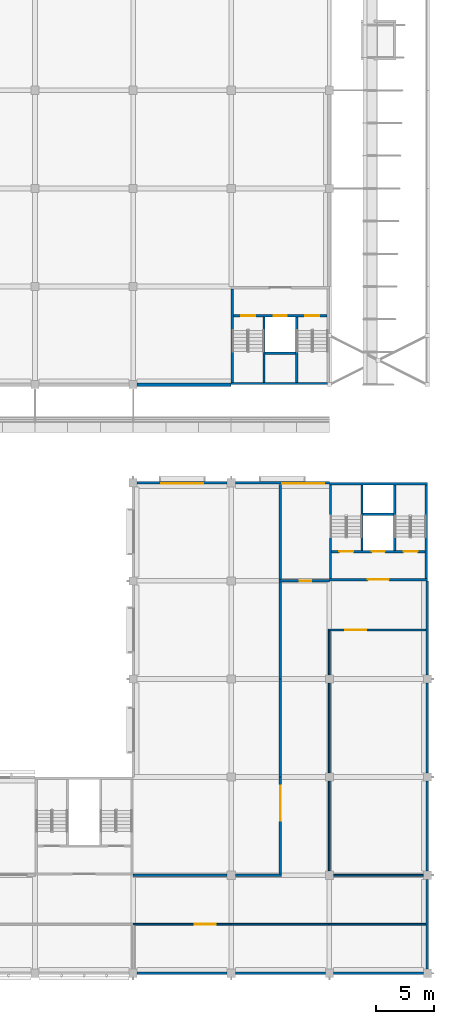
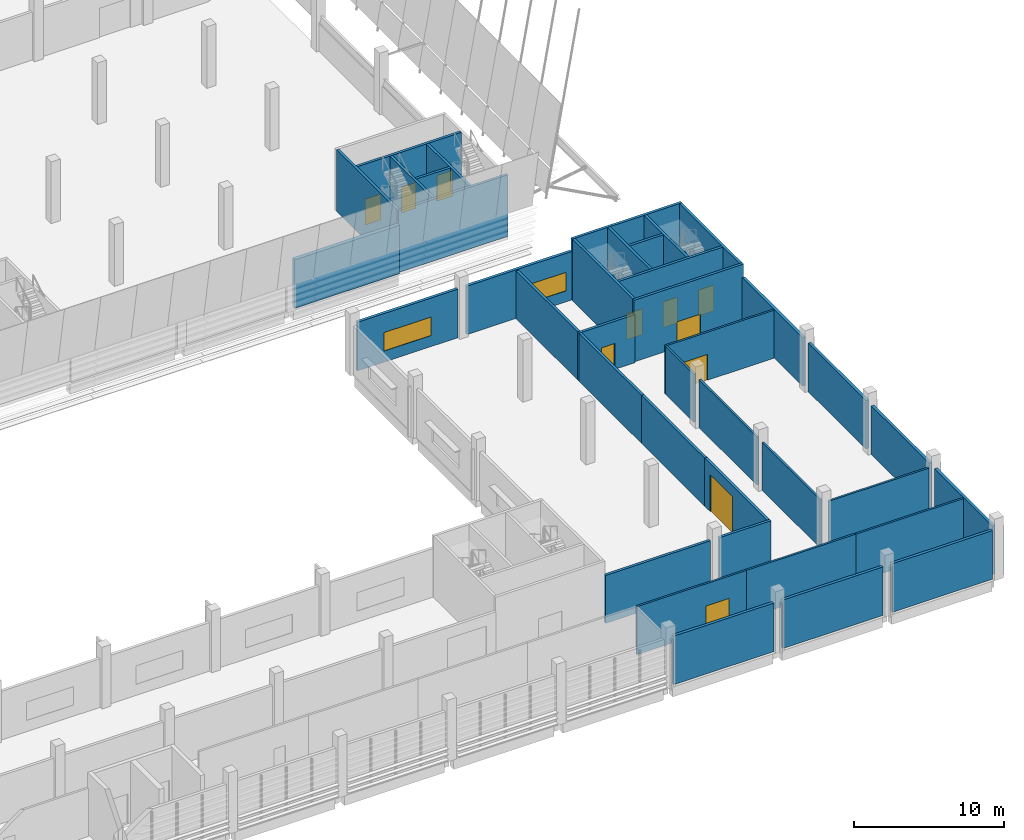
# One storey, part 27 of 82: 39 walls, 11 doors, 2 windows, 13 openings.
"""IFC4 building model written with IfcOpenShell, lengths in metres."""

from ifc_helpers import new_model, si_unit, direction, frame, frame_2d, origin, place, context, subcontext, project, spatial, rectangle, extrude, material, layer, layer_set, type_object, element, fill, save


model = new_model("IFC4")

# Units and contexts
model_context = context("Model", 3, precision=1e-05, world=origin(), true_north=direction((0.0, 1.0)))
body_context = subcontext(model_context, "Body", "Model", "MODEL_VIEW")
ifc_project = project(units=[si_unit("LENGTHUNIT", "METRE"), si_unit("AREAUNIT", "SQUARE_METRE"), si_unit("VOLUMEUNIT", "CUBIC_METRE"), si_unit("PLANEANGLEUNIT", "RADIAN"), si_unit("MASSUNIT", "GRAM", prefix="KILO")], contexts=[model_context])

# Site, building, storey
site_placement = place(None, origin())
site = spatial("IfcSite", under=ifc_project, at=site_placement, CompositionType="ELEMENT")
building_placement = place(site_placement, origin())
building = spatial("IfcBuilding", under=site, at=building_placement, Name="Almond Square Museum", CompositionType="ELEMENT")
storey_placement = place(building_placement, frame((0.0, 0.0, 20.0)))
storey = spatial("IfcBuildingStorey", under=building, at=storey_placement, Name="L03", CompositionType="ELEMENT", Elevation=20.0)

# Walls
ifc_material_1 = material(Name="Concrete C30/37", Category="concrete")
ifc_layer_1 = layer(ifc_material_1, 0.300048828125)
ifc_layer_set_1 = layer_set([ifc_layer_1], Name="Concrete C30/37")
wall_type_1 = type_object("IfcWallType", Name="Cast concrete wall 300 C30/37 behind louvre skin", PredefinedType="SOLIDWALL", material=ifc_layer_set_1)
wall_1_placement = place(storey_placement, frame((132.35009765625, 50.39990234375, 0.0), z_axis=(0.0, 0.0, 1.0), x_axis=(1.0, 0.0, 0.0)))
element("IfcWall", 1, at=wall_1_placement, inside=storey, type_object=wall_type_1, Name="External wall W1 V1 L03 S03", PredefinedType="SOLIDWALL", context=body_context, shape_type="SweptSolid", body=[
    extrude(rectangle(XDim=8.0498046875, YDim=0.300048828125, at=frame_2d((4.02490234375, 0.0))), origin(), (0.0, 0.0, 1.0), 3.93994140625),
])
ifc_material_2 = material(Name="Concrete blockwork 200", Category="masonry")
ifc_layer_2 = layer(ifc_material_2, 0.199951171875)
ifc_layer_set_2 = layer_set([ifc_layer_2], Name="Concrete blockwork 200")
wall_type_2 = type_object("IfcWallType", Name="Fire partition 200 blockwork", PredefinedType="PARTITIONING", material=ifc_layer_set_2)
wall_2_placement = place(storey_placement, frame((144.60009765625, 33.699951171875, 0.0), z_axis=(0.0, 0.0, 1.0), x_axis=(0.0, 1.0, 0.0)))
element("IfcWall", 2, at=wall_2_placement, inside=storey, type_object=wall_type_2, Name="L03 partition 44", PredefinedType="PARTITIONING", context=body_context, shape_type="SweptSolid", body=[
    extrude(rectangle(XDim=8.150146484375, YDim=0.199951171875, at=frame_2d((4.0751953125, 0.0))), origin(), (0.0, 0.0, 1.0), 3.89990234375),
])

# Wall, opening, door
wall_3_placement = place(storey_placement, frame((144.5, 33.60009765625, 0.0), z_axis=(0.0, 0.0, 1.0), x_axis=(1.0, 0.0, 0.0)))
wall_3 = element("IfcWall", 3, at=wall_3_placement, inside=storey, type_object=wall_type_2, Name="L03 partition 45", PredefinedType="PARTITIONING", context=body_context, shape_type="SweptSolid", body=[
    extrude(rectangle(XDim=4.300048828125, YDim=0.199951171875, at=frame_2d((2.14990234375, 0.0))), origin(), (0.0, 0.0, 1.0), 3.89990234375),
])
opening_1_placement = place(wall_3_placement, frame((1.75, 0.0, 0.0)))
opening_1 = element("IfcOpeningElement", 4, at=opening_1_placement, cuts=wall_3, Name="Opening D3113", PredefinedType="OPENING", context=body_context, shape_type="SweptSolid", body=[
    extrude(rectangle(XDim=1.0, YDim=2.10009765625, at=frame_2d((0.5, 1.050048828125))), frame((0.0, 0.10986328125, 0.0), z_axis=(0.0, -1.0, 0.0), x_axis=(1.0, 0.0, 0.0)), (0.0, 0.0, 1.0), 0.219970703125),
])
ifc_material_3 = material(Name="Steel", Category="steel")
door_type_1 = type_object("IfcDoorType", Name="Fire door 1000 x 2100 FD60 single", OperationType="NOTDEFINED", PredefinedType="DOOR", material=ifc_material_3)
door_1_placement = place(opening_1_placement, origin())
door_1 = element("IfcDoor", 5, at=door_1_placement, inside=storey, type_object=door_type_1, Name="L03 door Cleaners' Store 2 to Service Corridor 1", OperationType="SINGLE_SWING_RIGHT", OverallHeight=2.10009765625, OverallWidth=1.0, PredefinedType="DOOR", context=body_context, shape_type="SweptSolid", body=[
    extrude(rectangle(XDim=1.0, YDim=2.10009765625, at=frame_2d((0.5, 1.050048828125))), frame((0.0, 0.02490234375, 0.0), z_axis=(0.0, -1.0, 0.0), x_axis=(1.0, 0.0, 0.0)), (0.0, 0.0, 1.0), 0.050048828125),
])
fill(opening_1, door_1)

wall_4_placement = place(storey_placement, frame((144.60009765625, 8.5, 0.0), z_axis=(0.0, 0.0, 1.0), x_axis=(0.0, 1.0, 0.0)))
wall_4 = element("IfcWall", 6, at=wall_4_placement, inside=storey, type_object=wall_type_2, Name="L03 partition 47", PredefinedType="PARTITIONING", context=body_context, shape_type="SweptSolid", body=[
    extrude(rectangle(XDim=8.300048828125, YDim=0.199951171875, at=frame_2d((4.14990234375, 0.0))), origin(), (0.0, 0.0, 1.0), 3.89990234375),
])
opening_2_placement = place(wall_4_placement, frame((4.574951171875, 0.0, 0.0)))
opening_2 = element("IfcOpeningElement", 7, at=opening_2_placement, cuts=wall_4, Name="Opening D3115", PredefinedType="OPENING", context=body_context, shape_type="SweptSolid", body=[
    extrude(rectangle(XDim=3.0, YDim=3.0, at=frame_2d((1.5, 1.5))), frame((0.0, 0.10986328125, 0.0), z_axis=(0.0, -1.0, 0.0), x_axis=(1.0, 0.0, 0.0)), (0.0, 0.0, 1.0), 0.219970703125),
])
ifc_material_4 = material(Name="Steel", Category="steel")
door_type_2 = type_object("IfcDoorType", Name="Dock door 3000 x 3000 steel double", OperationType="NOTDEFINED", PredefinedType="DOOR", material=ifc_material_4)
door_2_placement = place(opening_2_placement, origin())
door_2 = element("IfcDoor", 8, at=door_2_placement, inside=storey, type_object=door_type_2, Name="L03 door Collection Store 1 to Service Corridor 1", OperationType="DOUBLE_DOOR_SINGLE_SWING", OverallHeight=3.0, OverallWidth=3.0, PredefinedType="DOOR", context=body_context, shape_type="SweptSolid", body=[
    extrude(rectangle(XDim=3.0, YDim=3.0, at=frame_2d((1.5, 1.5))), frame((0.0, 0.02490234375, 0.0), z_axis=(0.0, -1.0, 0.0), x_axis=(1.0, 0.0, 0.0)), (0.0, 0.0, 1.0), 0.050048828125),
])
fill(opening_2, door_2)

# Walls
wall_5_placement = place(storey_placement, frame((144.60009765625, 16.800048828125, 0.0), z_axis=(0.0, 0.0, 1.0), x_axis=(0.0, 1.0, 0.0)))
element("IfcWall", 9, at=wall_5_placement, inside=storey, type_object=wall_type_2, Name="L03 partition 48", PredefinedType="PARTITIONING", context=body_context, shape_type="SweptSolid", body=[
    extrude(rectangle(XDim=8.39990234375, YDim=0.199951171875, at=frame_2d((4.199951171875, 0.0))), origin(), (0.0, 0.0, 1.0), 3.89990234375),
])
wall_6_placement = place(storey_placement, frame((144.60009765625, 25.199951171875, 0.0), z_axis=(0.0, 0.0, 1.0), x_axis=(0.0, 1.0, 0.0)))
element("IfcWall", 10, at=wall_6_placement, inside=storey, type_object=wall_type_2, Name="L03 partition 49", PredefinedType="PARTITIONING", context=body_context, shape_type="SweptSolid", body=[
    extrude(rectangle(XDim=8.300048828125, YDim=0.199951171875, at=frame_2d((4.14990234375, 0.0))), origin(), (0.0, 0.0, 1.0), 3.89990234375),
])
wall_7_placement = place(storey_placement, frame((132.0, 8.39990234375, 0.0), z_axis=(0.0, 0.0, 1.0), x_axis=(1.0, 0.0, 0.0)))
element("IfcWall", 11, at=wall_7_placement, inside=storey, type_object=wall_type_2, Name="L03 partition 50", PredefinedType="PARTITIONING", context=body_context, shape_type="SweptSolid", body=[
    extrude(rectangle(XDim=8.050048828125, YDim=0.199951171875, at=frame_2d((4.02490234375, 0.0))), origin(), (0.0, 0.0, 1.0), 3.89990234375),
])
wall_8_placement = place(storey_placement, frame((140.75, 8.39990234375, 0.0), z_axis=(0.0, 0.0, 1.0), x_axis=(1.0, 0.0, 0.0)))
element("IfcWall", 12, at=wall_8_placement, inside=storey, type_object=wall_type_2, Name="L03 partition 51", PredefinedType="PARTITIONING", context=body_context, shape_type="SweptSolid", body=[
    extrude(rectangle(XDim=3.949951171875, YDim=0.199951171875, at=frame_2d((1.97509765625, 0.0))), origin(), (0.0, 0.0, 1.0), 3.89990234375),
])

# Wall, opening, door
ifc_material_5 = material(Name="Plasterboard on steel stud", Category="steel")
ifc_layer_3 = layer(ifc_material_5, 0.14990234375)
ifc_layer_set_3 = layer_set([ifc_layer_3], Name="Plasterboard on steel stud")
wall_type_3 = type_object("IfcWallType", Name="Partition 150 plasterboard on steel stud", PredefinedType="PARTITIONING", material=ifc_layer_set_3)
wall_9_placement = place(storey_placement, frame((148.72509765625, 29.39990234375, 0.0), z_axis=(0.0, 0.0, 1.0), x_axis=(1.0, 0.0, 0.0)))
wall_9 = element("IfcWall", 13, at=wall_9_placement, inside=storey, type_object=wall_type_3, Name="L03 partition 54", PredefinedType="PARTITIONING", context=body_context, shape_type="SweptSolid", body=[
    extrude(rectangle(XDim=8.324951171875, YDim=0.14990234375, at=frame_2d((4.16259765625, 0.0))), origin(), (0.0, 0.0, 1.0), 3.89990234375),
])
opening_3_placement = place(wall_9_placement, frame((1.4375, 0.0, 0.0)))
opening_3 = element("IfcOpeningElement", 14, at=opening_3_placement, cuts=wall_9, Name="Opening D3117", PredefinedType="OPENING", context=body_context, shape_type="SweptSolid", body=[
    extrude(rectangle(XDim=1.800048828125, YDim=2.10009765625, at=frame_2d((0.89990234375, 1.050048828125))), frame((0.0, 0.0849609375, 0.0), z_axis=(0.0, -1.0, 0.0), x_axis=(1.0, 0.0, 0.0)), (0.0, 0.0, 1.0), 0.169921875),
])
ifc_material_6 = material(Name="Timber", Category="wood")
door_type_3 = type_object("IfcDoorType", Name="Door 1800 x 2100 timber double", OperationType="NOTDEFINED", PredefinedType="DOOR", material=ifc_material_6)
door_3_placement = place(opening_3_placement, origin())
door_3 = element("IfcDoor", 15, at=door_3_placement, inside=storey, type_object=door_type_3, Name="L03 door Imaging Studio to Service Corridor 1", OperationType="DOUBLE_DOOR_SINGLE_SWING", OverallHeight=2.10009765625, OverallWidth=1.800048828125, PredefinedType="DOOR", context=body_context, shape_type="SweptSolid", body=[
    extrude(rectangle(XDim=1.800048828125, YDim=2.10009765625, at=frame_2d((0.89990234375, 1.050048828125))), frame((0.0, 0.02490234375, 0.0), z_axis=(0.0, -1.0, 0.0), x_axis=(1.0, 0.0, 0.0)), (0.0, 0.0, 1.0), 0.050048828125),
])
fill(opening_3, door_3)

# Walls
wall_10_placement = place(storey_placement, frame((149.14990234375, 8.39990234375, 0.0), z_axis=(0.0, 0.0, 1.0), x_axis=(1.0, 0.0, 0.0)))
element("IfcWall", 16, at=wall_10_placement, inside=storey, type_object=wall_type_3, Name="L03 partition 55", PredefinedType="PARTITIONING", context=body_context, shape_type="SweptSolid", body=[
    extrude(rectangle(XDim=7.7001953125, YDim=0.14990234375, at=frame_2d((3.85009765625, 0.0))), origin(), (0.0, 0.0, 1.0), 3.89990234375),
])
wall_11_placement = place(storey_placement, frame((148.800048828125, 8.75, 0.0), z_axis=(0.0, 0.0, 1.0), x_axis=(0.0, 1.0, 0.0)))
element("IfcWall", 17, at=wall_11_placement, inside=storey, type_object=wall_type_3, Name="L03 partition 56", PredefinedType="PARTITIONING", context=body_context, shape_type="SweptSolid", body=[
    extrude(rectangle(XDim=7.699951171875, YDim=0.14990234375, at=frame_2d((3.85009765625, 0.0))), origin(), (0.0, 0.0, 1.0), 3.89990234375),
])
wall_12_placement = place(storey_placement, frame((148.800048828125, 17.14990234375, 0.0), z_axis=(0.0, 0.0, 1.0), x_axis=(0.0, 1.0, 0.0)))
element("IfcWall", 18, at=wall_12_placement, inside=storey, type_object=wall_type_3, Name="L03 partition 57", PredefinedType="PARTITIONING", context=body_context, shape_type="SweptSolid", body=[
    extrude(rectangle(XDim=7.7001953125, YDim=0.14990234375, at=frame_2d((3.85009765625, 0.0))), origin(), (0.0, 0.0, 1.0), 3.89990234375),
])
wall_13_placement = place(storey_placement, frame((148.800048828125, 25.550048828125, 0.0), z_axis=(0.0, 0.0, 1.0), x_axis=(0.0, 1.0, 0.0)))
element("IfcWall", 19, at=wall_13_placement, inside=storey, type_object=wall_type_3, Name="L03 partition 58", PredefinedType="PARTITIONING", context=body_context, shape_type="SweptSolid", body=[
    extrude(rectangle(XDim=3.77490234375, YDim=0.14990234375, at=frame_2d((1.887451171875, 0.0))), origin(), (0.0, 0.0, 1.0), 3.89990234375),
])

# Wall, opening, door
wall_14_placement = place(storey_placement, frame((132.0, 4.199951171875, 0.0), z_axis=(0.0, 0.0, 1.0), x_axis=(1.0, 0.0, 0.0)))
wall_14 = element("IfcWall", 20, at=wall_14_placement, inside=storey, type_object=wall_type_3, Name="L03 partition 77", PredefinedType="PARTITIONING", context=body_context, shape_type="SweptSolid", body=[
    extrude(rectangle(XDim=8.39990234375, YDim=0.14990234375, at=frame_2d((4.199951171875, 0.0))), origin(), (0.0, 0.0, 1.0), 3.89990234375),
])
opening_4_placement = place(wall_14_placement, frame((5.27490234375, 0.0, 0.0)))
opening_4 = element("IfcOpeningElement", 21, at=opening_4_placement, cuts=wall_14, Name="Opening D3129", PredefinedType="OPENING", context=body_context, shape_type="SweptSolid", body=[
    extrude(rectangle(XDim=1.800048828125, YDim=2.10009765625, at=frame_2d((0.89990234375, 1.050048828125))), frame((0.0, 0.0849609375, 0.0), z_axis=(0.0, -1.0, 0.0), x_axis=(1.0, 0.0, 0.0)), (0.0, 0.0, 1.0), 0.169921875),
])
door_4_placement = place(opening_4_placement, origin())
door_4 = element("IfcDoor", 22, at=door_4_placement, inside=storey, type_object=door_type_3, Name="L03 door Staff Lounge 2 to Service Corridor 1", OperationType="DOUBLE_DOOR_SINGLE_SWING", OverallHeight=2.10009765625, OverallWidth=1.800048828125, PredefinedType="DOOR", context=body_context, shape_type="SweptSolid", body=[
    extrude(rectangle(XDim=1.800048828125, YDim=2.10009765625, at=frame_2d((0.89990234375, 1.050048828125))), frame((0.0, 0.02490234375, 0.0), z_axis=(0.0, -1.0, 0.0), x_axis=(1.0, 0.0, 0.0)), (0.0, 0.0, 1.0), 0.050048828125),
])
fill(opening_4, door_4)

# Walls
wall_15_placement = place(storey_placement, frame((140.39990234375, 4.199951171875, 0.0), z_axis=(0.0, 0.0, 1.0), x_axis=(1.0, 0.0, 0.0)))
element("IfcWall", 23, at=wall_15_placement, inside=storey, type_object=wall_type_3, Name="L03 partition 78", PredefinedType="PARTITIONING", context=body_context, shape_type="SweptSolid", body=[
    extrude(rectangle(XDim=8.400146484375, YDim=0.14990234375, at=frame_2d((4.2001953125, 0.0))), origin(), (0.0, 0.0, 1.0), 3.89990234375),
])
wall_16_placement = place(storey_placement, frame((148.800048828125, 4.199951171875, 0.0), z_axis=(0.0, 0.0, 1.0), x_axis=(1.0, 0.0, 0.0)))
element("IfcWall", 24, at=wall_16_placement, inside=storey, type_object=wall_type_3, Name="L03 partition 79", PredefinedType="PARTITIONING", context=body_context, shape_type="SweptSolid", body=[
    extrude(rectangle(XDim=8.25, YDim=0.14990234375, at=frame_2d((4.125, 0.0))), origin(), (0.0, 0.0, 1.0), 3.89990234375),
])
ifc_material_7 = material(Name="Concrete C40/50", Category="concrete")
ifc_layer_4 = layer(ifc_material_7, 0.199951171875)
ifc_layer_set_4 = layer_set([ifc_layer_4], Name="Concrete C40/50")
wall_type_4 = type_object("IfcWallType", Name="RC shear wall 200 C40/50", PredefinedType="SHEAR", material=ifc_layer_set_4)
wall_17_placement = place(storey_placement, frame((140.39990234375, 50.5, 0.0), z_axis=(0.0, 0.0, 1.0), x_axis=(1.0, 0.0, 0.0)))
element("IfcWall", 25, at=wall_17_placement, inside=storey, type_object=wall_type_4, Name="Core H2 south wall L03", PredefinedType="SHEAR", context=body_context, shape_type="SweptSolid", body=[
    extrude(rectangle(XDim=8.400146484375, YDim=0.199951171875, at=frame_2d((4.2001953125, 0.0))), origin(), (0.0, 0.0, 1.0), 5.0),
])
wall_18_placement = place(storey_placement, frame((140.5, 50.60009765625, 0.0), z_axis=(0.0, 0.0, 1.0), x_axis=(0.0, 1.0, 0.0)))
element("IfcWall", 26, at=wall_18_placement, inside=storey, type_object=wall_type_4, Name="Core H2 west wall L03", PredefinedType="SHEAR", context=body_context, shape_type="SweptSolid", body=[
    extrude(rectangle(XDim=8.0, YDim=0.199951171875, at=frame_2d((4.0, 0.0))), origin(), (0.0, 0.0, 1.0), 5.0),
])

# Wall, openings, doors
wall_19_placement = place(storey_placement, frame((140.60009765625, 56.300048828125, 0.0), z_axis=(0.0, 0.0, 1.0), x_axis=(1.0, 0.0, 0.0)))
wall_19 = element("IfcWall", 27, at=wall_19_placement, inside=storey, type_object=wall_type_4, Name="Core H2 lobby wall L03", PredefinedType="SHEAR", context=body_context, shape_type="SweptSolid", body=[
    extrude(rectangle(XDim=8.0, YDim=0.199951171875, at=frame_2d((4.0, 0.0))), origin(), (0.0, 0.0, 1.0), 5.0),
])
opening_5_placement = place(wall_19_placement, frame((0.64990234375, 0.0, 0.0)))
opening_5 = element("IfcOpeningElement", 28, at=opening_5_placement, cuts=wall_19, Name="Opening D3140", PredefinedType="OPENING", context=body_context, shape_type="SweptSolid", body=[
    extrude(rectangle(XDim=1.199951171875, YDim=2.10009765625, at=frame_2d((0.60009765625, 1.050048828125))), frame((0.0, 0.10986328125, 0.0), z_axis=(0.0, -1.0, 0.0), x_axis=(1.0, 0.0, 0.0)), (0.0, 0.0, 1.0), 0.219970703125),
])
opening_6_placement = place(wall_19_placement, frame((6.14990234375, 0.0, 0.0)))
opening_6 = element("IfcOpeningElement", 29, at=opening_6_placement, cuts=wall_19, Name="Opening D3141", PredefinedType="OPENING", context=body_context, shape_type="SweptSolid", body=[
    extrude(rectangle(XDim=1.199951171875, YDim=2.10009765625, at=frame_2d((0.60009765625, 1.050048828125))), frame((0.0, 0.10986328125, 0.0), z_axis=(0.0, -1.0, 0.0), x_axis=(1.0, 0.0, 0.0)), (0.0, 0.0, 1.0), 0.219970703125),
])
opening_7_placement = place(wall_19_placement, frame((3.449951171875, 0.0, 0.0)))
opening_7 = element("IfcOpeningElement", 30, at=opening_7_placement, cuts=wall_19, Name="Opening D3142", PredefinedType="OPENING", context=body_context, shape_type="SweptSolid", body=[
    extrude(rectangle(XDim=1.10009765625, YDim=2.10009765625, at=frame_2d((0.550048828125, 1.050048828125))), frame((0.0, 0.10986328125, 0.0), z_axis=(0.0, -1.0, 0.0), x_axis=(1.0, 0.0, 0.0)), (0.0, 0.0, 1.0), 0.219970703125),
])
ifc_material_8 = material(Name="Steel", Category="steel")
door_type_4 = type_object("IfcDoorType", Name="Fire door 1200 x 2100 FD120 stair", OperationType="NOTDEFINED", PredefinedType="DOOR", material=ifc_material_8)
door_5_placement = place(opening_5_placement, origin())
door_5 = element("IfcDoor", 31, at=door_5_placement, inside=storey, type_object=door_type_4, Name="L03 stair H2-1 door", OperationType="SINGLE_SWING_LEFT", OverallHeight=2.10009765625, OverallWidth=1.199951171875, PredefinedType="DOOR", context=body_context, shape_type="SweptSolid", body=[
    extrude(rectangle(XDim=1.199951171875, YDim=2.10009765625, at=frame_2d((0.60009765625, 1.050048828125))), frame((0.0, 0.02490234375, 0.0), z_axis=(0.0, -1.0, 0.0), x_axis=(1.0, 0.0, 0.0)), (0.0, 0.0, 1.0), 0.050048828125),
])
fill(opening_5, door_5)
door_6_placement = place(opening_6_placement, origin())
door_6 = element("IfcDoor", 32, at=door_6_placement, inside=storey, type_object=door_type_4, Name="L03 stair H2-2 door", OperationType="SINGLE_SWING_RIGHT", OverallHeight=2.10009765625, OverallWidth=1.199951171875, PredefinedType="DOOR", context=body_context, shape_type="SweptSolid", body=[
    extrude(rectangle(XDim=1.199951171875, YDim=2.10009765625, at=frame_2d((0.60009765625, 1.050048828125))), frame((0.0, 0.02490234375, 0.0), z_axis=(0.0, -1.0, 0.0), x_axis=(1.0, 0.0, 0.0)), (0.0, 0.0, 1.0), 0.050048828125),
])
fill(opening_6, door_6)
ifc_material_9 = material(Name="Stainless steel", Category="steel")
door_type_5 = type_object("IfcDoorType", Name="Lift landing door 1100 x 2100", OperationType="NOTDEFINED", PredefinedType="DOOR", material=ifc_material_9)
door_7_placement = place(opening_7_placement, origin())
door_7 = element("IfcDoor", 33, at=door_7_placement, inside=storey, type_object=door_type_5, Name="L03 lift PL-H2 landing door", OperationType="DOUBLE_DOOR_SLIDING", OverallHeight=2.10009765625, OverallWidth=1.10009765625, PredefinedType="DOOR", context=body_context, shape_type="SweptSolid", body=[
    extrude(rectangle(XDim=1.10009765625, YDim=2.10009765625, at=frame_2d((0.550048828125, 1.050048828125))), frame((0.0, 0.02490234375, 0.0), z_axis=(0.0, -1.0, 0.0), x_axis=(1.0, 0.0, 0.0)), (0.0, 0.0, 1.0), 0.050048828125),
])
fill(opening_7, door_7)

# Walls
for number, where, z_axis, x_axis, name in (
    (34, (143.199951171875, 50.60009765625, 0.0), (0.0, 0.0, 1.0), (0.0, 1.0, 0.0), "Core H2 partition wall L03"),
    (35, (146.0, 50.60009765625, 0.0), (0.0, 0.0, 1.0), (0.0, 1.0, 0.0), "Core H2 partition wall L03"),
):
    element("IfcWall", number, at=place(storey_placement, frame(where, z_axis=z_axis, x_axis=x_axis)), inside=storey, type_object=wall_type_4, Name=name, PredefinedType="SHEAR", context=body_context, shape_type="SweptSolid", body=[
        extrude(rectangle(XDim=5.599853515625, YDim=0.199951171875, at=frame_2d((2.7998046875, 0.0))), origin(), (0.0, 0.0, 1.0), 5.0),
    ])
wall_20_placement = place(storey_placement, frame((143.300048828125, 53.10009765625, 0.0), z_axis=(0.0, 0.0, 1.0), x_axis=(1.0, 0.0, 0.0)))
element("IfcWall", 36, at=wall_20_placement, inside=storey, type_object=wall_type_4, Name="Core H2 partition wall L03", PredefinedType="SHEAR", context=body_context, shape_type="SweptSolid", body=[
    extrude(rectangle(XDim=2.599853515625, YDim=0.199951171875, at=frame_2d((1.2998046875, 0.0))), origin(), (0.0, 0.0, 1.0), 5.0),
])

# Wall, opening, door
wall_21_placement = place(storey_placement, frame((148.800048828125, 33.699951171875, 0.0), z_axis=(0.0, 0.0, 1.0), x_axis=(1.0, 0.0, 0.0)))
wall_21 = element("IfcWall", 37, at=wall_21_placement, inside=storey, type_object=wall_type_4, Name="Core X1 south wall L03", PredefinedType="SHEAR", context=body_context, shape_type="SweptSolid", body=[
    extrude(rectangle(XDim=8.39990234375, YDim=0.199951171875, at=frame_2d((4.199951171875, 0.0))), origin(), (0.0, 0.0, 1.0), 5.0),
])
opening_8_placement = place(wall_21_placement, frame((3.300048828125, 0.0, 0.0)))
opening_8 = element("IfcOpeningElement", 38, at=opening_8_placement, cuts=wall_21, Name="Opening D3181", PredefinedType="OPENING", context=body_context, shape_type="SweptSolid", body=[
    extrude(rectangle(XDim=1.800048828125, YDim=2.10009765625, at=frame_2d((0.89990234375, 1.050048828125))), frame((0.0, 0.10986328125, 0.0), z_axis=(0.0, -1.0, 0.0), x_axis=(1.0, 0.0, 0.0)), (0.0, 0.0, 1.0), 0.219970703125),
])
ifc_material_10 = material(Name="Steel", Category="steel")
door_type_6 = type_object("IfcDoorType", Name="Fire door 1800 x 2100 FD60 double", OperationType="NOTDEFINED", PredefinedType="DOOR", material=ifc_material_10)
door_8_placement = place(opening_8_placement, origin())
door_8 = element("IfcDoor", 39, at=door_8_placement, inside=storey, type_object=door_type_6, Name="L03 stair core X1 lobby door", OperationType="DOUBLE_DOOR_SINGLE_SWING", OverallHeight=2.10009765625, OverallWidth=1.800048828125, PredefinedType="DOOR", context=body_context, shape_type="SweptSolid", body=[
    extrude(rectangle(XDim=1.800048828125, YDim=2.10009765625, at=frame_2d((0.89990234375, 1.050048828125))), frame((0.0, 0.02490234375, 0.0), z_axis=(0.0, -1.0, 0.0), x_axis=(1.0, 0.0, 0.0)), (0.0, 0.0, 1.0), 0.050048828125),
])
fill(opening_8, door_8)

# Walls
wall_22_placement = place(storey_placement, frame((148.800048828125, 41.89990234375, 0.0), z_axis=(0.0, 0.0, 1.0), x_axis=(1.0, 0.0, 0.0)))
element("IfcWall", 40, at=wall_22_placement, inside=storey, type_object=wall_type_4, Name="Core X1 north wall L03", PredefinedType="SHEAR", context=body_context, shape_type="SweptSolid", body=[
    extrude(rectangle(XDim=8.39990234375, YDim=0.199951171875, at=frame_2d((4.199951171875, 0.0))), origin(), (0.0, 0.0, 1.0), 5.0),
])
for number, where, z_axis, x_axis, name in (
    (41, (148.89990234375, 33.800048828125, 0.0), (0.0, 0.0, 1.0), (0.0, 1.0, 0.0), "Core X1 west wall L03"),
    (42, (157.10009765625, 33.800048828125, 0.0), (0.0, 0.0, 1.0), (0.0, 1.0, 0.0), "Core X1 east wall L03"),
):
    element("IfcWall", number, at=place(storey_placement, frame(where, z_axis=z_axis, x_axis=x_axis)), inside=storey, type_object=wall_type_4, Name=name, PredefinedType="SHEAR", context=body_context, shape_type="SweptSolid", body=[
        extrude(rectangle(XDim=8.0, YDim=0.199951171875, at=frame_2d((4.0, 0.0))), origin(), (0.0, 0.0, 1.0), 5.0),
    ])

# Wall, openings, doors
wall_23_placement = place(storey_placement, frame((149.0, 36.10009765625, 0.0), z_axis=(0.0, 0.0, 1.0), x_axis=(1.0, 0.0, 0.0)))
wall_23 = element("IfcWall", 43, at=wall_23_placement, inside=storey, type_object=wall_type_4, Name="Core X1 lobby wall L03", PredefinedType="SHEAR", context=body_context, shape_type="SweptSolid", body=[
    extrude(rectangle(XDim=8.0, YDim=0.199951171875, at=frame_2d((4.0, 0.0))), origin(), (0.0, 0.0, 1.0), 5.0),
])
opening_9_placement = place(wall_23_placement, frame((0.64990234375, 0.0, 0.0)))
opening_9 = element("IfcOpeningElement", 44, at=opening_9_placement, cuts=wall_23, Name="Opening D3182", PredefinedType="OPENING", context=body_context, shape_type="SweptSolid", body=[
    extrude(rectangle(XDim=1.199951171875, YDim=2.10009765625, at=frame_2d((0.60009765625, 1.050048828125))), frame((0.0, 0.10986328125, 0.0), z_axis=(0.0, -1.0, 0.0), x_axis=(1.0, 0.0, 0.0)), (0.0, 0.0, 1.0), 0.219970703125),
])
opening_10_placement = place(wall_23_placement, frame((6.14990234375, 0.0, 0.0)))
opening_10 = element("IfcOpeningElement", 45, at=opening_10_placement, cuts=wall_23, Name="Opening D3183", PredefinedType="OPENING", context=body_context, shape_type="SweptSolid", body=[
    extrude(rectangle(XDim=1.199951171875, YDim=2.10009765625, at=frame_2d((0.60009765625, 1.050048828125))), frame((0.0, 0.10986328125, 0.0), z_axis=(0.0, -1.0, 0.0), x_axis=(1.0, 0.0, 0.0)), (0.0, 0.0, 1.0), 0.219970703125),
])
opening_11_placement = place(wall_23_placement, frame((3.449951171875, 0.0, 0.0)))
opening_11 = element("IfcOpeningElement", 46, at=opening_11_placement, cuts=wall_23, Name="Opening D3184", PredefinedType="OPENING", context=body_context, shape_type="SweptSolid", body=[
    extrude(rectangle(XDim=1.10009765625, YDim=2.10009765625, at=frame_2d((0.550048828125, 1.050048828125))), frame((0.0, 0.10986328125, 0.0), z_axis=(0.0, -1.0, 0.0), x_axis=(1.0, 0.0, 0.0)), (0.0, 0.0, 1.0), 0.219970703125),
])
door_9_placement = place(opening_9_placement, origin())
door_9 = element("IfcDoor", 47, at=door_9_placement, inside=storey, type_object=door_type_4, Name="L03 stair X1-1 door", OperationType="SINGLE_SWING_LEFT", OverallHeight=2.10009765625, OverallWidth=1.199951171875, PredefinedType="DOOR", context=body_context, shape_type="SweptSolid", body=[
    extrude(rectangle(XDim=1.199951171875, YDim=2.10009765625, at=frame_2d((0.60009765625, 1.050048828125))), frame((0.0, 0.02490234375, 0.0), z_axis=(0.0, -1.0, 0.0), x_axis=(1.0, 0.0, 0.0)), (0.0, 0.0, 1.0), 0.050048828125),
])
fill(opening_9, door_9)
door_10_placement = place(opening_10_placement, origin())
door_10 = element("IfcDoor", 48, at=door_10_placement, inside=storey, type_object=door_type_4, Name="L03 stair X1-2 door", OperationType="SINGLE_SWING_RIGHT", OverallHeight=2.10009765625, OverallWidth=1.199951171875, PredefinedType="DOOR", context=body_context, shape_type="SweptSolid", body=[
    extrude(rectangle(XDim=1.199951171875, YDim=2.10009765625, at=frame_2d((0.60009765625, 1.050048828125))), frame((0.0, 0.02490234375, 0.0), z_axis=(0.0, -1.0, 0.0), x_axis=(1.0, 0.0, 0.0)), (0.0, 0.0, 1.0), 0.050048828125),
])
fill(opening_10, door_10)
door_11_placement = place(opening_11_placement, origin())
door_11 = element("IfcDoor", 49, at=door_11_placement, inside=storey, type_object=door_type_5, Name="L03 lift PL-X1 landing door", OperationType="DOUBLE_DOOR_SLIDING", OverallHeight=2.10009765625, OverallWidth=1.10009765625, PredefinedType="DOOR", context=body_context, shape_type="SweptSolid", body=[
    extrude(rectangle(XDim=1.10009765625, YDim=2.10009765625, at=frame_2d((0.550048828125, 1.050048828125))), frame((0.0, 0.02490234375, 0.0), z_axis=(0.0, -1.0, 0.0), x_axis=(1.0, 0.0, 0.0)), (0.0, 0.0, 1.0), 0.050048828125),
])
fill(opening_11, door_11)

# Walls
for number, where, z_axis, x_axis, name in (
    (50, (151.60009765625, 36.199951171875, 0.0), (0.0, 0.0, 1.0), (0.0, 1.0, 0.0), "Core X1 partition wall L03"),
    (51, (154.39990234375, 36.199951171875, 0.0), (0.0, 0.0, 1.0), (0.0, 1.0, 0.0), "Core X1 partition wall L03"),
):
    element("IfcWall", number, at=place(storey_placement, frame(where, z_axis=z_axis, x_axis=x_axis)), inside=storey, type_object=wall_type_4, Name=name, PredefinedType="SHEAR", context=body_context, shape_type="SweptSolid", body=[
        extrude(rectangle(XDim=5.60009765625, YDim=0.199951171875, at=frame_2d((2.800048828125, 0.0))), origin(), (0.0, 0.0, 1.0), 5.0),
    ])
wall_24_placement = place(storey_placement, frame((151.699951171875, 39.300048828125, 0.0), z_axis=(0.0, 0.0, 1.0), x_axis=(1.0, 0.0, 0.0)))
element("IfcWall", 52, at=wall_24_placement, inside=storey, type_object=wall_type_4, Name="Core X1 partition wall L03", PredefinedType="SHEAR", context=body_context, shape_type="SweptSolid", body=[
    extrude(rectangle(XDim=2.60009765625, YDim=0.199951171875, at=frame_2d((1.300048828125, 0.0))), origin(), (0.0, 0.0, 1.0), 5.0),
])
ifc_material_11 = material(Name="Concrete C30/37", Category="concrete")
ifc_layer_5 = layer(ifc_material_11, 0.219970703125)
ifc_layer_set_5 = layer_set([ifc_layer_5], Name="Concrete C30/37")
wall_type_5 = type_object("IfcWallType", Name="Stucco panel wall 220 with insulation", PredefinedType="SOLIDWALL", material=ifc_layer_set_5)
for number, where, z_axis, x_axis, name in (
    (53, (132.35009765625, 0.0, 0.0), (0.0, 0.0, 1.0), (1.0, 0.0, 0.0), "External wall W4 V5E L03 S01"),
    (54, (140.75, 0.0, 0.0), (0.0, 0.0, 1.0), (1.0, 0.0, 0.0), "External wall W4 V5E L03 S02"),
):
    element("IfcWall", number, at=place(storey_placement, frame(where, z_axis=z_axis, x_axis=x_axis)), inside=storey, type_object=wall_type_5, Name=name, PredefinedType="SOLIDWALL", context=body_context, shape_type="SweptSolid", body=[
        extrude(rectangle(XDim=7.699951171875, YDim=0.219970703125, at=frame_2d((3.85009765625, 0.0))), origin(), (0.0, 0.0, 1.0), 3.93994140625),
    ])
wall_25_placement = place(storey_placement, frame((149.14990234375, 0.0, 0.0), z_axis=(0.0, 0.0, 1.0), x_axis=(1.0, 0.0, 0.0)))
element("IfcWall", 55, at=wall_25_placement, inside=storey, type_object=wall_type_5, Name="External wall W4 V5E L03 S03", PredefinedType="SOLIDWALL", context=body_context, shape_type="SweptSolid", body=[
    extrude(rectangle(XDim=7.7001953125, YDim=0.219970703125, at=frame_2d((3.85009765625, 0.0))), origin(), (0.0, 0.0, 1.0), 3.93994140625),
])
for number, where, z_axis, x_axis, name in (
    (56, (157.199951171875, 0.35009765625, 0.0), (0.0, 0.0, 1.0), (0.0, 1.0, 0.0), "External wall W4 V5E L03 E01"),
    (57, (157.199951171875, 8.75, 0.0), (0.0, 0.0, 1.0), (0.0, 1.0, 0.0), "External wall W4 V5E L03 E02"),
):
    element("IfcWall", number, at=place(storey_placement, frame(where, z_axis=z_axis, x_axis=x_axis)), inside=storey, type_object=wall_type_5, Name=name, PredefinedType="SOLIDWALL", context=body_context, shape_type="SweptSolid", body=[
        extrude(rectangle(XDim=7.699951171875, YDim=0.219970703125, at=frame_2d((3.85009765625, 0.0))), origin(), (0.0, 0.0, 1.0), 3.93994140625),
    ])
wall_26_placement = place(storey_placement, frame((157.199951171875, 17.14990234375, 0.0), z_axis=(0.0, 0.0, 1.0), x_axis=(0.0, 1.0, 0.0)))
element("IfcWall", 58, at=wall_26_placement, inside=storey, type_object=wall_type_5, Name="External wall W4 V5E L03 E03", PredefinedType="SOLIDWALL", context=body_context, shape_type="SweptSolid", body=[
    extrude(rectangle(XDim=7.7001953125, YDim=0.219970703125, at=frame_2d((3.85009765625, 0.0))), origin(), (0.0, 0.0, 1.0), 3.93994140625),
])
wall_27_placement = place(storey_placement, frame((157.199951171875, 25.550048828125, 0.0), z_axis=(0.0, 0.0, 1.0), x_axis=(0.0, 1.0, 0.0)))
element("IfcWall", 59, at=wall_27_placement, inside=storey, type_object=wall_type_5, Name="External wall W4 V5E L03 E04", PredefinedType="SOLIDWALL", context=body_context, shape_type="SweptSolid", body=[
    extrude(rectangle(XDim=8.050048828125, YDim=0.219970703125, at=frame_2d((4.02490234375, 0.0))), origin(), (0.0, 0.0, 1.0), 3.93994140625),
])

# Wall, opening, window
wall_28_placement = place(storey_placement, frame((140.75, 42.0, 0.0), z_axis=(0.0, 0.0, 1.0), x_axis=(1.0, 0.0, 0.0)))
wall_28 = element("IfcWall", 60, at=wall_28_placement, inside=storey, type_object=wall_type_5, Name="External wall W4 V5E L03 N01", PredefinedType="SOLIDWALL", context=body_context, shape_type="SweptSolid", body=[
    extrude(rectangle(XDim=8.050048828125, YDim=0.219970703125, at=frame_2d((4.02490234375, 0.0))), origin(), (0.0, 0.0, 1.0), 3.93994140625),
])
opening_12_placement = place(wall_28_placement, frame((4.0, 0.0, 0.89990234375)))
opening_12 = element("IfcOpeningElement", 61, at=opening_12_placement, cuts=wall_28, Name="Opening W3001", PredefinedType="OPENING", context=body_context, shape_type="SweptSolid", body=[
    extrude(rectangle(XDim=3.60009765625, YDim=1.5, at=frame_2d((1.800048828125, 0.75))), frame((0.0, 0.119873046875, 0.0), z_axis=(0.0, -1.0, 0.0), x_axis=(1.0, 0.0, 0.0)), (0.0, 0.0, 1.0), 0.239990234375),
])
ifc_material_12 = material(Name="Aluminium frame and laminated glass", Category="aluminium")
window_type = type_object("IfcWindowType", Name="Office ribbon window", PartitioningType="SINGLE_PANEL", PredefinedType="WINDOW", material=ifc_material_12)
window_1_placement = place(opening_12_placement, origin())
window_1 = element("IfcWindow", 62, at=window_1_placement, inside=storey, type_object=window_type, Name="Office ribbon window W3001", OverallHeight=1.5, OverallWidth=3.60009765625, PartitioningType="DOUBLE_PANEL_VERTICAL", PredefinedType="WINDOW", context=body_context, shape_type="SweptSolid", body=[
    extrude(rectangle(XDim=3.60009765625, YDim=1.5, at=frame_2d((1.800048828125, 0.75))), frame((0.0, -0.030029296875, 0.0), z_axis=(0.0, -1.0, 0.0), x_axis=(1.0, 0.0, 0.0)), (0.0, 0.0, 1.0), 0.06005859375),
])
fill(opening_12, window_1)

wall_29_placement = place(storey_placement, frame((132.35009765625, 42.0, 0.0), z_axis=(0.0, 0.0, 1.0), x_axis=(1.0, 0.0, 0.0)))
wall_29 = element("IfcWall", 63, at=wall_29_placement, inside=storey, type_object=wall_type_5, Name="External wall W4 V5E L03 N02", PredefinedType="SOLIDWALL", context=body_context, shape_type="SweptSolid", body=[
    extrude(rectangle(XDim=7.699951171875, YDim=0.219970703125, at=frame_2d((3.85009765625, 0.0))), origin(), (0.0, 0.0, 1.0), 3.93994140625),
])
opening_13_placement = place(wall_29_placement, frame((2.050048828125, 0.0, 0.89990234375)))
opening_13 = element("IfcOpeningElement", 64, at=opening_13_placement, cuts=wall_29, Name="Opening W3002", PredefinedType="OPENING", context=body_context, shape_type="SweptSolid", body=[
    extrude(rectangle(XDim=3.60009765625, YDim=1.5, at=frame_2d((1.800048828125, 0.75))), frame((0.0, 0.119873046875, 0.0), z_axis=(0.0, -1.0, 0.0), x_axis=(1.0, 0.0, 0.0)), (0.0, 0.0, 1.0), 0.239990234375),
])
window_2_placement = place(opening_13_placement, origin())
window_2 = element("IfcWindow", 65, at=window_2_placement, inside=storey, type_object=window_type, Name="Office ribbon window W3002", OverallHeight=1.5, OverallWidth=3.60009765625, PartitioningType="DOUBLE_PANEL_VERTICAL", PredefinedType="WINDOW", context=body_context, shape_type="SweptSolid", body=[
    extrude(rectangle(XDim=3.60009765625, YDim=1.5, at=frame_2d((1.800048828125, 0.75))), frame((0.0, -0.030029296875, 0.0), z_axis=(0.0, -1.0, 0.0), x_axis=(1.0, 0.0, 0.0)), (0.0, 0.0, 1.0), 0.06005859375),
])
fill(opening_13, window_2)

save(model, "model.ifc")
